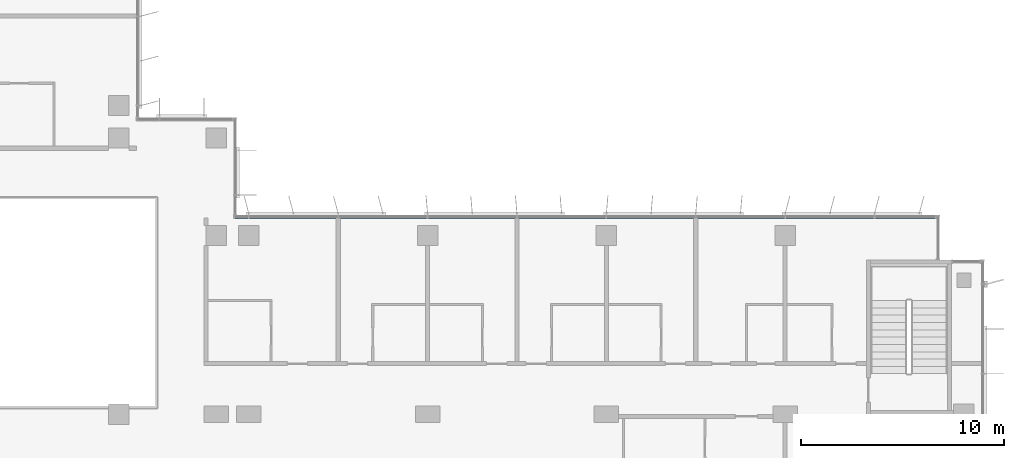
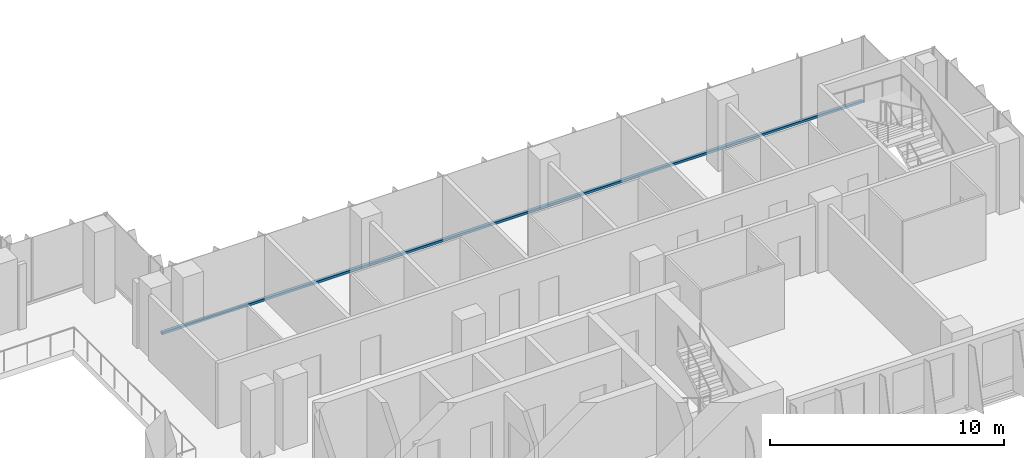
# One storey, part 3 of 21: 1 member, 1 element without a shape of its own.
"""IFC4 building model written with IfcOpenShell, lengths in metres."""

from ifc_helpers import new_model, si_unit, direction, frame, origin, origin_2d, place, context, subcontext, project, spatial, rectangle, extrude, material, material_profile, profile_set, type_object, element, aggregate, save


model = new_model("IFC4")

# Units and contexts
model_context = context("Model", 3, precision=1e-05, world=origin(), true_north=direction((0.0, 1.0)))
body_context = subcontext(model_context, "Body", "Model", "MODEL_VIEW")
ifc_project = project(units=[si_unit("LENGTHUNIT", "METRE"), si_unit("AREAUNIT", "SQUARE_METRE"), si_unit("VOLUMEUNIT", "CUBIC_METRE"), si_unit("PLANEANGLEUNIT", "RADIAN"), si_unit("MASSUNIT", "GRAM", prefix="KILO")], contexts=[model_context])

# Site, building, storey
site_placement = place(None, origin())
site = spatial("IfcSite", under=ifc_project, at=site_placement, CompositionType="ELEMENT")
building_placement = place(site_placement, origin())
building = spatial("IfcBuilding", under=site, at=building_placement, Name="Kemantara Hotel Tower", CompositionType="ELEMENT")
storey_placement = place(building_placement, frame((0.0, 0.0, 215.39990234375)))
storey = spatial("IfcBuildingStorey", under=building, at=storey_placement, Name="L53", CompositionType="ELEMENT", Elevation=215.39990234375)

# Curtain wall, member
ifc_material_1 = material(Name="Low-E tinted double insulated glass 36 mm", Category="glass")
curtain_wall_type = type_object("IfcCurtainWallType", Name="TOWER CURTAIN WALL, FRONT FACES", PredefinedType="USERDEFINED", material=ifc_material_1)
curtain_wall_placement = place(storey_placement, origin())
curtain_wall = element("IfcCurtainWall", 1, at=curtain_wall_placement, inside=storey, type_object=curtain_wall_type, Name="CW4 L53 T3-R14-1", ObjectType="TOWER CURTAIN WALL, FRONT FACES", PredefinedType="USERDEFINED")
ifc_material_2 = material(Name="Aluminium 6063-T6 bronze anodised", Category="aluminium")
ifc_material_profile = material_profile(ifc_material_2, rectangle(XDim=0.14990234375, YDim=0.1201171875, at=origin_2d()), Name="TOWER CURTAIN WALL, FRONT FACES TRANSOM")
ifc_profile_set = profile_set([ifc_material_profile], Name="Aluminium 6063-T6 bronze anodised")
member_type = type_object("IfcMemberType", Name="TOWER CURTAIN WALL, FRONT FACES TRANSOM", PredefinedType="USERDEFINED", material=ifc_profile_set)
member_placement = place(storey_placement, frame((61.25, 21.925048828125, 0.06005859375), z_axis=(-1.0, 0.0, 0.0), x_axis=(0.0, -1.0, 0.0)))
member = element("IfcMember", 2, at=member_placement, type_object=member_type, Name="CW4 sill transom T3-R14-1", ObjectType="TRANSOM", PredefinedType="USERDEFINED", context=body_context, shape_type="SweptSolid", body=[
    extrude(rectangle(XDim=0.14990234375, YDim=0.1201171875, at=origin_2d()), origin(), (0.0, 0.0, 1.0), 34.60009765625),
])
aggregate(curtain_wall, [member])

save(model, "model.ifc")
